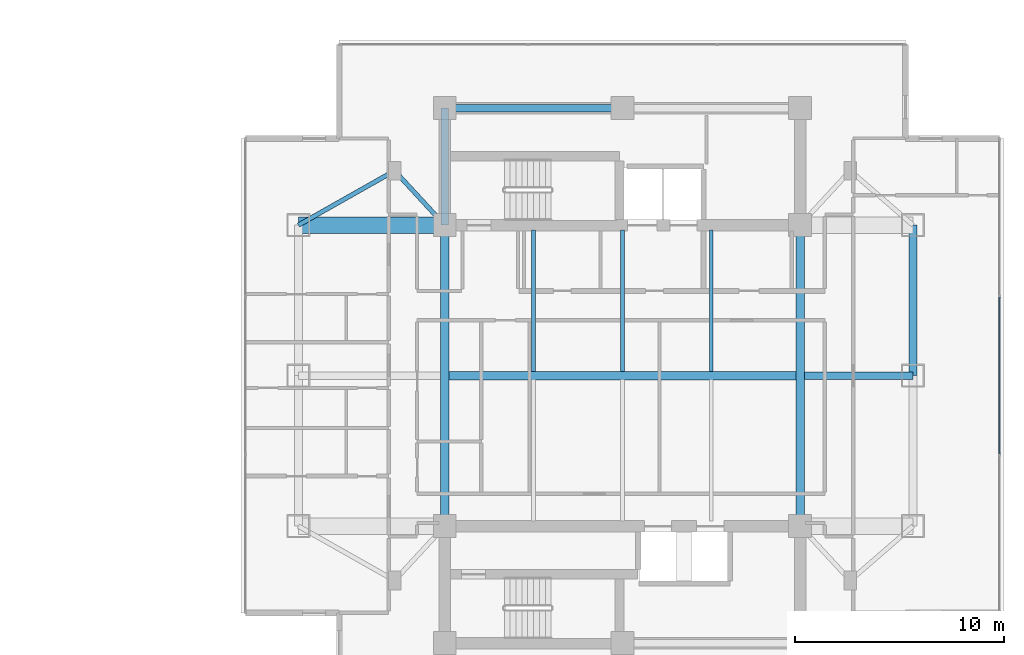
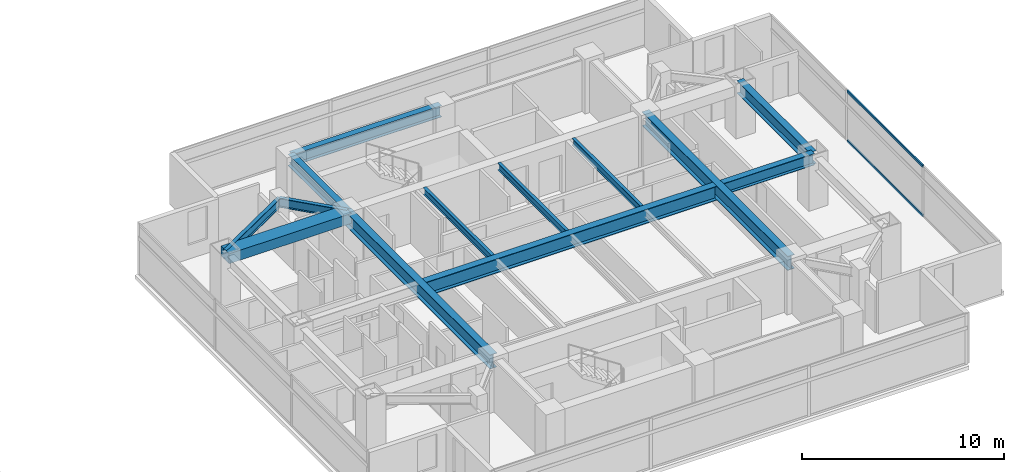
# One storey, part 9 of 24: 13 beams, 2 members, 1 element without a shape of its own.
"""IFC4 building model written with IfcOpenShell, lengths in metres."""

from ifc_helpers import new_model, si_unit, direction, frame, origin, origin_2d, place, context, subcontext, project, spatial, rectangle, i_section, extrude, material, material_profile, profile_set, type_object, element, aggregate, save


model = new_model("IFC4")

# Units and contexts
model_context = context("Model", 3, precision=1e-05, world=origin(), true_north=direction((0.0, 1.0)))
body_context = subcontext(model_context, "Body", "Model", "MODEL_VIEW")
ifc_project = project(units=[si_unit("LENGTHUNIT", "METRE"), si_unit("AREAUNIT", "SQUARE_METRE"), si_unit("VOLUMEUNIT", "CUBIC_METRE"), si_unit("PLANEANGLEUNIT", "RADIAN"), si_unit("MASSUNIT", "GRAM", prefix="KILO")], contexts=[model_context])

# Site, building, storey
site_placement = place(None, origin())
site = spatial("IfcSite", under=ifc_project, at=site_placement, CompositionType="ELEMENT")
building_placement = place(site_placement, origin())
building = spatial("IfcBuilding", under=site, at=building_placement, Name="Mirazonda Arch Towers", CompositionType="ELEMENT")
storey_placement = place(building_placement, frame((0.0, 0.0, 134.60009765625)))
storey = spatial("IfcBuildingStorey", under=building, at=storey_placement, Name="L38", CompositionType="ELEMENT", Elevation=134.60009765625)

# Beams
ifc_material_1 = material(Name="Steel ASTM A992 Grade 50", Category="steel")
ifc_material_profile_1 = material_profile(ifc_material_1, i_section(OverallWidth=0.381103515625, OverallDepth=0.77294921875, WebThickness=0.0166015625, FlangeThickness=0.027099609375, at=origin_2d()), Name="W30X173")
ifc_profile_set_1 = profile_set([ifc_material_profile_1], Name="Steel ASTM A992 Grade 50")
beam_type_1 = type_object("IfcBeamType", Name="BM-EXT-W30X173", PredefinedType="USERDEFINED", material=ifc_profile_set_1)
beam_1_placement = place(storey_placement, frame((90.39990234375, 28.0, 2.693359375), z_axis=(0.0, 1.0, 0.0), x_axis=(-1.0, 0.0, 0.0)))
element("IfcBeam", 1, at=beam_1_placement, inside=storey, type_object=beam_type_1, Name="L38 Floor Beam BM-T2-L38-NS-E-28", ObjectType="GIRDER", PredefinedType="USERDEFINED", context=body_context, shape_type="SweptSolid", body=[
    extrude(i_section(OverallWidth=0.381103515625, OverallDepth=0.77294921875, WebThickness=0.0166015625, FlangeThickness=0.027099609375, at=origin_2d()), origin(), (0.0, 0.0, 1.0), 7.199951171875),
])
ifc_material_profile_2 = material_profile(ifc_material_1, i_section(OverallWidth=0.180908203125, OverallDepth=0.4169921875, WebThickness=0.010986328125, FlangeThickness=0.018310546875, at=origin_2d()), Name="W16X57")
ifc_profile_set_2 = profile_set([ifc_material_profile_2], Name="Steel ASTM A992 Grade 50")
beam_type_2 = type_object("IfcBeamType", Name="BM-INT-W16X57", PredefinedType="JOIST", material=ifc_profile_set_2)
for number, where, z_axis, x_axis, name in (
    (2, (72.25, 28.196044921875, 2.871337890625), (0.0, 1.0, 0.0), (-1.0, 0.0, 0.0), "L38 Floor Beam BM-T2-L38-J-722-28"),
    (3, (76.5, 28.196044921875, 2.871337890625), (0.0, 1.0, 0.0), (-1.0, 0.0, 0.0), "L38 Floor Beam BM-T2-L38-J-765-28"),
    (4, (80.75, 28.196044921875, 2.871337890625), (0.0, 1.0, 0.0), (-1.0, 0.0, 0.0), "L38 Floor Beam BM-T2-L38-J-807-28"),
):
    element("IfcBeam", number, at=place(storey_placement, frame(where, z_axis=z_axis, x_axis=x_axis)), inside=storey, type_object=beam_type_2, Name=name, PredefinedType="JOIST", context=body_context, shape_type="SweptSolid", body=[
        extrude(i_section(OverallWidth=0.180908203125, OverallDepth=0.4169921875, WebThickness=0.010986328125, FlangeThickness=0.018310546875, at=origin_2d()), origin(), (0.0, 0.0, 1.0), 6.763916015625),
    ])
ifc_material_profile_3 = material_profile(ifc_material_1, i_section(OverallWidth=0.214111328125, OverallDepth=0.549072265625, WebThickness=0.0146484375, FlangeThickness=0.023681640625, at=origin_2d()), Name="W21X93")
ifc_profile_set_3 = profile_set([ifc_material_profile_3], Name="Steel ASTM A992 Grade 50")
beam_type_3 = type_object("IfcBeamType", Name="BM-INT-W21X93", PredefinedType="BEAM", material=ifc_profile_set_3)
beam_2_placement = place(storey_placement, frame((65.60009765625, 37.800048828125, 2.805419921875), z_axis=(0.678251444854, -0.734829897019, 0.0), x_axis=(0.734829897019, 0.678251444854, 0.0)))
element("IfcBeam", 5, at=beam_2_placement, inside=storey, type_object=beam_type_3, Name="L38 Floor Beam BM-T2-L38-PL-NW1", PredefinedType="BEAM", context=body_context, shape_type="SweptSolid", body=[
    extrude(i_section(OverallWidth=0.214111328125, OverallDepth=0.549072265625, WebThickness=0.0146484375, FlangeThickness=0.023681640625, at=origin_2d()), origin(), (0.0, 0.0, 1.0), 3.538330078125),
])
beam_3_placement = place(storey_placement, frame((65.60009765625, 37.800048828125, 2.805419921875), z_axis=(-0.870559396632, -0.492063346467, 0.0), x_axis=(0.492063346467, -0.870559396632, 0.0)))
element("IfcBeam", 6, at=beam_3_placement, inside=storey, type_object=beam_type_3, Name="L38 Floor Beam BM-T2-L38-PL-NW2", PredefinedType="BEAM", context=body_context, shape_type="SweptSolid", body=[
    extrude(i_section(OverallWidth=0.214111328125, OverallDepth=0.549072265625, WebThickness=0.0146484375, FlangeThickness=0.023681640625, at=origin_2d()), origin(), (0.0, 0.0, 1.0), 5.2841796875),
])
ifc_material_profile_4 = material_profile(ifc_material_1, i_section(OverallWidth=0.35498046875, OverallDepth=0.696044921875, WebThickness=0.015380859375, FlangeThickness=0.02490234375, at=origin_2d()), Name="W27X146")
ifc_profile_set_4 = profile_set([ifc_material_profile_4], Name="Steel ASTM A992 Grade 50")
beam_type_4 = type_object("IfcBeamType", Name="BM-INT-W27X146", PredefinedType="BEAM", material=ifc_profile_set_4)
beam_4_placement = place(storey_placement, frame((68.0, 40.800048828125, 2.73193359375), z_axis=(1.0, 0.0, 0.0), x_axis=(0.0, 1.0, 0.0)))
element("IfcBeam", 7, at=beam_4_placement, inside=storey, type_object=beam_type_4, Name="L38 Floor Beam BM-T2-L38-CN1", PredefinedType="BEAM", context=body_context, shape_type="SweptSolid", body=[
    extrude(i_section(OverallWidth=0.35498046875, OverallDepth=0.696044921875, WebThickness=0.015380859375, FlangeThickness=0.02490234375, at=origin_2d()), origin(), (0.0, 0.0, 1.0), 8.5),
])
beam_5_placement = place(storey_placement, frame((68.0, 35.199951171875, 2.73193359375), z_axis=(0.0, 1.0, 0.0), x_axis=(-1.0, 0.0, 0.0)))
element("IfcBeam", 8, at=beam_5_placement, inside=storey, type_object=beam_type_4, Name="L38 Floor Beam BM-T2-L38-CNW", PredefinedType="BEAM", context=body_context, shape_type="SweptSolid", body=[
    extrude(i_section(OverallWidth=0.35498046875, OverallDepth=0.696044921875, WebThickness=0.015380859375, FlangeThickness=0.02490234375, at=origin_2d()), origin(), (0.0, 0.0, 1.0), 5.60009765625),
])
beam_6_placement = place(storey_placement, frame((85.199951171875, 28.0, 2.73193359375), z_axis=(1.0, 0.0, 0.0), x_axis=(0.0, 1.0, 0.0)))
element("IfcBeam", 9, at=beam_6_placement, inside=storey, type_object=beam_type_4, Name="L38 Floor Beam BM-T2-L38-GE2", PredefinedType="BEAM", context=body_context, shape_type="SweptSolid", body=[
    extrude(i_section(OverallWidth=0.35498046875, OverallDepth=0.696044921875, WebThickness=0.015380859375, FlangeThickness=0.02490234375, at=origin_2d()), origin(), (0.0, 0.0, 1.0), 5.199951171875),
])
ifc_material_profile_5 = material_profile(ifc_material_1, i_section(OverallWidth=0.39990234375, OverallDepth=0.85595703125, WebThickness=0.018310546875, FlangeThickness=0.029296875, at=origin_2d()), Name="W33X201")
ifc_profile_set_5 = profile_set([ifc_material_profile_5], Name="Steel ASTM A992 Grade 50")
beam_type_5 = type_object("IfcBeamType", Name="BM-INT-W33X201", PredefinedType="USERDEFINED", material=ifc_profile_set_5)
beam_7_placement = place(storey_placement, frame((68.199951171875, 28.0, 2.65185546875), z_axis=(1.0, 0.0, 0.0), x_axis=(0.0, 1.0, 0.0)))
element("IfcBeam", 10, at=beam_7_placement, inside=storey, type_object=beam_type_5, Name="L38 Floor Beam BM-T2-L38-GC2", ObjectType="GIRDER", PredefinedType="USERDEFINED", context=body_context, shape_type="SweptSolid", body=[
    extrude(i_section(OverallWidth=0.39990234375, OverallDepth=0.85595703125, WebThickness=0.018310546875, FlangeThickness=0.029296875, at=origin_2d()), origin(), (0.0, 0.0, 1.0), 16.60009765625),
])
for number, where, z_axis, x_axis, name in (
    (11, (68.0, 20.800048828125, 2.65185546875), (0.0, 1.0, 0.0), (-1.0, 0.0, 0.0), "L38 Floor Beam BM-T2-L38-NS-CW-FULL"),
    (12, (85.0, 20.800048828125, 2.65185546875), (0.0, 1.0, 0.0), (-1.0, 0.0, 0.0), "L38 Floor Beam BM-T2-L38-NS-CE-FULL"),
):
    element("IfcBeam", number, at=place(storey_placement, frame(where, z_axis=z_axis, x_axis=x_axis)), inside=storey, type_object=beam_type_5, Name=name, ObjectType="GIRDER", PredefinedType="USERDEFINED", context=body_context, shape_type="SweptSolid", body=[
        extrude(i_section(OverallWidth=0.39990234375, OverallDepth=0.85595703125, WebThickness=0.018310546875, FlangeThickness=0.029296875, at=origin_2d()), origin(), (0.0, 0.0, 1.0), 14.39990234375),
    ])
ifc_material_2 = material(Name="Concrete C60/75", Category="concrete")
ifc_material_profile_6 = material_profile(ifc_material_2, rectangle(XDim=0.800048828125, YDim=0.60009765625, at=origin_2d()), Name="RCCB800x600")
ifc_profile_set_6 = profile_set([ifc_material_profile_6], Name="Concrete C60/75")
beam_type_6 = type_object("IfcBeamType", Name="CB-INT-RCCB800x600", PredefinedType="SPANDREL", material=ifc_profile_set_6)
beam_8_placement = place(storey_placement, frame((61.0, 35.199951171875, 2.77978515625), z_axis=(1.0, 0.0, 0.0), x_axis=(0.0, 1.0, 0.0)))
element("IfcBeam", 13, at=beam_8_placement, inside=storey, type_object=beam_type_6, Name="L38 Floor Beam CBC-T2-L38-NW", PredefinedType="SPANDREL", context=body_context, shape_type="SweptSolid", body=[
    extrude(rectangle(XDim=0.800048828125, YDim=0.60009765625, at=origin_2d()), origin(), (0.0, 0.0, 1.0), 7.0),
])

# Curtain wall, members
ifc_material_3 = material(Name="Anodised Aluminium and Low-E Glass", Category="aluminium")
curtain_wall_type = type_object("IfcCurtainWallType", Name="CW-HTL-UNIT", PredefinedType="NOTDEFINED", material=ifc_material_3)
curtain_wall_placement = place(storey_placement, origin())
curtain_wall = element("IfcCurtainWall", 14, at=curtain_wall_placement, inside=storey, type_object=curtain_wall_type, Name="L38 T2 E Facade CW-L38-T2-E", PredefinedType="NOTDEFINED")
ifc_material_4 = material(Name="Anodised Aluminium Alloy", Category="aluminium")
ifc_material_profile_7 = material_profile(ifc_material_4, rectangle(XDim=0.074951171875, YDim=0.14501953125, at=origin_2d()), Name="ALU-TRAN-75x145")
ifc_profile_set_7 = profile_set([ifc_material_profile_7], Name="Anodised Aluminium Alloy")
member_type = type_object("IfcMemberType", Name="TRAN-CW-HTL-UNIT", PredefinedType="USERDEFINED", material=ifc_profile_set_7)
member_1_placement = place(storey_placement, frame((94.534912109375, 24.25439453125, 0.037353515625), z_axis=(0.0, 1.0, 0.0), x_axis=(-1.0, 0.0, 0.0)))
member_1 = element("IfcMember", 15, at=member_1_placement, type_object=member_type, Name="CW-112 transom 2.1", ObjectType="TRANSOM", PredefinedType="USERDEFINED", context=body_context, shape_type="SweptSolid", body=[
    extrude(rectangle(XDim=0.074951171875, YDim=0.14501953125, at=origin_2d()), origin(), (0.0, 0.0, 1.0), 7.4912109375),
])
member_2_placement = place(storey_placement, frame((94.534912109375, 24.25439453125, 3.0224609375), z_axis=(0.0, 1.0, 0.0), x_axis=(-1.0, 0.0, 0.0)))
member_2 = element("IfcMember", 16, at=member_2_placement, type_object=member_type, Name="CW-112 transom 2.2", ObjectType="TRANSOM", PredefinedType="USERDEFINED", context=body_context, shape_type="SweptSolid", body=[
    extrude(rectangle(XDim=0.074951171875, YDim=0.14501953125, at=origin_2d()), origin(), (0.0, 0.0, 1.0), 7.4912109375),
])
aggregate(curtain_wall, [member_1, member_2])

save(model, "model.ifc")
